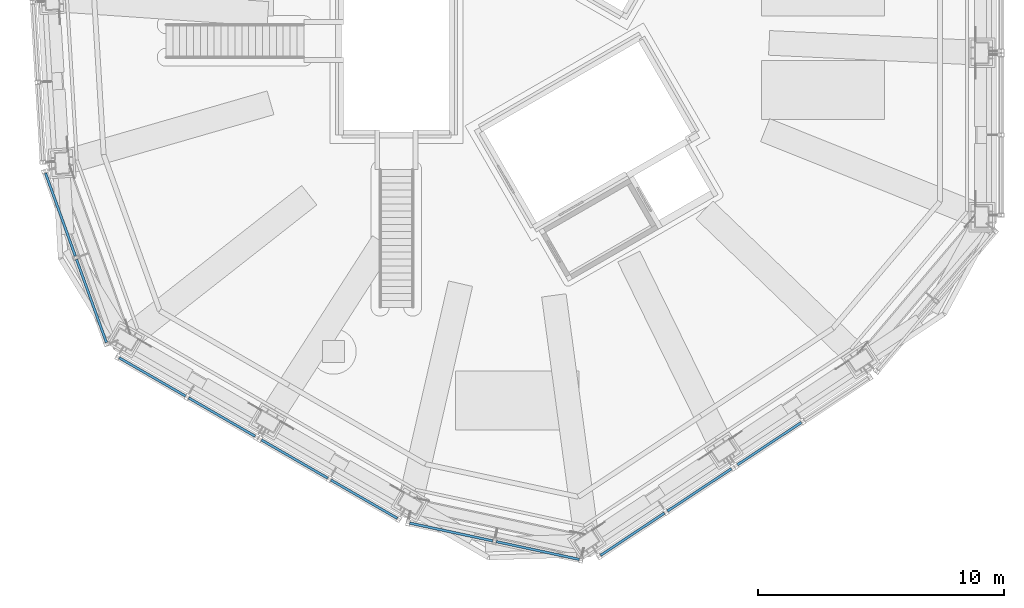
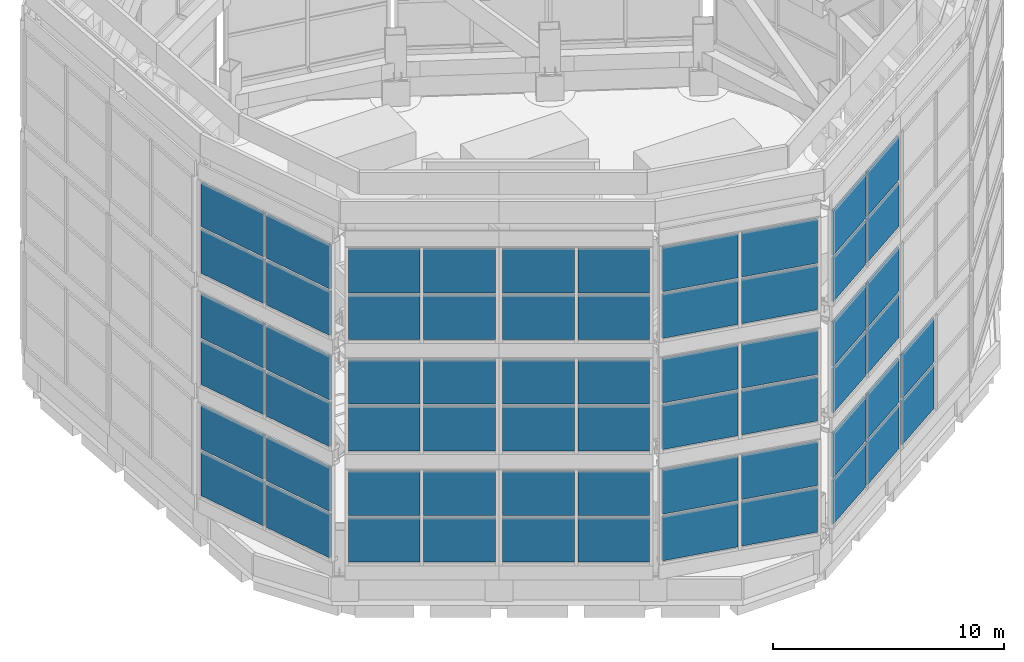
# One storey, part 17 of 46: 62 plates, 16 elements without a shape of their own.
"""IFC4 building model written with IfcOpenShell, lengths in metres."""

from ifc_helpers import new_model, si_unit, direction, frame, origin, origin_2d, place, context, subcontext, project, spatial, rectangle, extrude, material, layer, layer_set, type_object, element, aggregate, save


model = new_model("IFC4")

# Units and contexts
model_context = context("Model", 3, precision=1e-05, world=origin(), true_north=direction((0.0, 1.0)))
body_context = subcontext(model_context, "Body", "Model", "MODEL_VIEW")
ifc_project = project(units=[si_unit("LENGTHUNIT", "METRE"), si_unit("AREAUNIT", "SQUARE_METRE"), si_unit("VOLUMEUNIT", "CUBIC_METRE"), si_unit("PLANEANGLEUNIT", "RADIAN"), si_unit("MASSUNIT", "GRAM", prefix="KILO")], contexts=[model_context])

# Site, building, storey
site_placement = place(None, origin())
site = spatial("IfcSite", under=ifc_project, at=site_placement, CompositionType="ELEMENT")
building_placement = place(site_placement, origin())
building = spatial("IfcBuilding", under=site, at=building_placement, Name="Vanh Sen Convention Tower", CompositionType="ELEMENT")
storey_placement = place(building_placement, frame((0.0, 0.0, 305.0)))
storey = spatial("IfcBuildingStorey", under=building, at=storey_placement, Name="Roof level", CompositionType="ELEMENT", Elevation=305.0)

# Curtain wall, plates
ifc_material = material(Name="Concrete C60/75", Category="concrete")
curtain_wall_type = type_object("IfcCurtainWallType", Name="Crown screen", PredefinedType="NOTDEFINED", material=ifc_material)
curtain_wall_1_placement = place(storey_placement, origin())
curtain_wall_1 = element("IfcCurtainWall", 1, at=curtain_wall_1_placement, inside=storey, type_object=curtain_wall_type, Name="CROWN SCREEN 12 tier 1", PredefinedType="NOTDEFINED")
ifc_layer = layer(ifc_material, 0.10009765625)
ifc_layer_set = layer_set([ifc_layer], Name="Concrete C60/75")
plate_type = type_object("IfcPlateType", Name="Crown screen precast panel 100", PredefinedType="CURTAIN_PANEL", material=ifc_layer_set)
plate_1_placement = place(storey_placement, frame((-18.581298828125, -7.440673828125, 2.294921875), z_axis=(0.0, 0.0, 1.0), x_axis=(0.338349091158, -0.941020665295, 0.0)))
plate_1 = element("IfcPlate", 2, at=plate_1_placement, type_object=plate_type, Name="CROWN SCREEN6 panel 1.1", PredefinedType="CURTAIN_PANEL", context=body_context, shape_type="SweptSolid", body=[
    extrude(rectangle(XDim=3.57568359375, YDim=0.10009765625, at=origin_2d()), origin(), (0.0, 0.0, 1.0), 2.30908203125),
])
plate_2_placement = place(storey_placement, frame((-18.581298828125, -7.440673828125, 4.754150390625), z_axis=(0.0, 0.0, 1.0), x_axis=(0.338349091158, -0.941020665295, 0.0)))
plate_2 = element("IfcPlate", 3, at=plate_2_placement, type_object=plate_type, Name="CROWN SCREEN6 panel 1.2", PredefinedType="CURTAIN_PANEL", context=body_context, shape_type="SweptSolid", body=[
    extrude(rectangle(XDim=3.57568359375, YDim=0.10009765625, at=origin_2d()), origin(), (0.0, 0.0, 1.0), 2.30908203125),
])
plate_3_placement = place(storey_placement, frame((-17.320556640625, -10.946533203125, 2.294921875), z_axis=(0.0, 0.0, 1.0), x_axis=(0.338349091158, -0.941020665295, 0.0)))
plate_3 = element("IfcPlate", 4, at=plate_3_placement, type_object=plate_type, Name="CROWN SCREEN6 panel 2.1", PredefinedType="CURTAIN_PANEL", context=body_context, shape_type="SweptSolid", body=[
    extrude(rectangle(XDim=3.57568359375, YDim=0.10009765625, at=origin_2d()), origin(), (0.0, 0.0, 1.0), 2.30908203125),
])
plate_4_placement = place(storey_placement, frame((-17.320556640625, -10.946533203125, 4.754150390625), z_axis=(0.0, 0.0, 1.0), x_axis=(0.338349091158, -0.941020665295, 0.0)))
plate_4 = element("IfcPlate", 5, at=plate_4_placement, type_object=plate_type, Name="CROWN SCREEN6 panel 2.2", PredefinedType="CURTAIN_PANEL", context=body_context, shape_type="SweptSolid", body=[
    extrude(rectangle(XDim=3.57568359375, YDim=0.10009765625, at=origin_2d()), origin(), (0.0, 0.0, 1.0), 2.30908203125),
])
aggregate(curtain_wall_1, [plate_1, plate_2, plate_3, plate_4])

curtain_wall_2_placement = place(storey_placement, origin())
curtain_wall_2 = element("IfcCurtainWall", 6, at=curtain_wall_2_placement, inside=storey, type_object=curtain_wall_type, Name="CROWN SCREEN 12 tier 2", PredefinedType="NOTDEFINED")
plate_5_placement = place(storey_placement, frame((-18.581298828125, -7.440673828125, 8.163330078125), z_axis=(0.0, 0.0, 1.0), x_axis=(0.338349091158, -0.941020665295, 0.0)))
plate_5 = element("IfcPlate", 7, at=plate_5_placement, type_object=plate_type, Name="CROWN SCREEN6 panel 1.1", PredefinedType="CURTAIN_PANEL", context=body_context, shape_type="SweptSolid", body=[
    extrude(rectangle(XDim=3.57568359375, YDim=0.10009765625, at=origin_2d()), origin(), (0.0, 0.0, 1.0), 2.30908203125),
])
plate_6_placement = place(storey_placement, frame((-18.581298828125, -7.440673828125, 10.62255859375), z_axis=(0.0, 0.0, 1.0), x_axis=(0.338349091158, -0.941020665295, 0.0)))
plate_6 = element("IfcPlate", 8, at=plate_6_placement, type_object=plate_type, Name="CROWN SCREEN6 panel 1.2", PredefinedType="CURTAIN_PANEL", context=body_context, shape_type="SweptSolid", body=[
    extrude(rectangle(XDim=3.57568359375, YDim=0.10009765625, at=origin_2d()), origin(), (0.0, 0.0, 1.0), 2.30908203125),
])
plate_7_placement = place(storey_placement, frame((-17.320556640625, -10.946533203125, 8.163330078125), z_axis=(0.0, 0.0, 1.0), x_axis=(0.338349091158, -0.941020665295, 0.0)))
plate_7 = element("IfcPlate", 9, at=plate_7_placement, type_object=plate_type, Name="CROWN SCREEN6 panel 2.1", PredefinedType="CURTAIN_PANEL", context=body_context, shape_type="SweptSolid", body=[
    extrude(rectangle(XDim=3.57568359375, YDim=0.10009765625, at=origin_2d()), origin(), (0.0, 0.0, 1.0), 2.30908203125),
])
plate_8_placement = place(storey_placement, frame((-17.320556640625, -10.946533203125, 10.62255859375), z_axis=(0.0, 0.0, 1.0), x_axis=(0.338349091158, -0.941020665295, 0.0)))
plate_8 = element("IfcPlate", 10, at=plate_8_placement, type_object=plate_type, Name="CROWN SCREEN6 panel 2.2", PredefinedType="CURTAIN_PANEL", context=body_context, shape_type="SweptSolid", body=[
    extrude(rectangle(XDim=3.57568359375, YDim=0.10009765625, at=origin_2d()), origin(), (0.0, 0.0, 1.0), 2.30908203125),
])
aggregate(curtain_wall_2, [plate_5, plate_6, plate_7, plate_8])

curtain_wall_3_placement = place(storey_placement, origin())
curtain_wall_3 = element("IfcCurtainWall", 11, at=curtain_wall_3_placement, inside=storey, type_object=curtain_wall_type, Name="CROWN SCREEN 12 tier 3", PredefinedType="NOTDEFINED")
plate_9_placement = place(storey_placement, frame((-18.581298828125, -7.440673828125, 14.03173828125), z_axis=(0.0, 0.0, 1.0), x_axis=(0.338349091158, -0.941020665295, 0.0)))
plate_9 = element("IfcPlate", 12, at=plate_9_placement, type_object=plate_type, Name="CROWN SCREEN6 panel 1.1", PredefinedType="CURTAIN_PANEL", context=body_context, shape_type="SweptSolid", body=[
    extrude(rectangle(XDim=3.57568359375, YDim=0.10009765625, at=origin_2d()), origin(), (0.0, 0.0, 1.0), 2.30908203125),
])
plate_10_placement = place(storey_placement, frame((-18.581298828125, -7.440673828125, 16.490966796875), z_axis=(0.0, 0.0, 1.0), x_axis=(0.338349091158, -0.941020665295, 0.0)))
plate_10 = element("IfcPlate", 13, at=plate_10_placement, type_object=plate_type, Name="CROWN SCREEN6 panel 1.2", PredefinedType="CURTAIN_PANEL", context=body_context, shape_type="SweptSolid", body=[
    extrude(rectangle(XDim=3.57568359375, YDim=0.10009765625, at=origin_2d()), origin(), (0.0, 0.0, 1.0), 2.30908203125),
])
plate_11_placement = place(storey_placement, frame((-17.320556640625, -10.946533203125, 14.03173828125), z_axis=(0.0, 0.0, 1.0), x_axis=(0.338349091158, -0.941020665295, 0.0)))
plate_11 = element("IfcPlate", 14, at=plate_11_placement, type_object=plate_type, Name="CROWN SCREEN6 panel 2.1", PredefinedType="CURTAIN_PANEL", context=body_context, shape_type="SweptSolid", body=[
    extrude(rectangle(XDim=3.57568359375, YDim=0.10009765625, at=origin_2d()), origin(), (0.0, 0.0, 1.0), 2.30908203125),
])
plate_12_placement = place(storey_placement, frame((-17.320556640625, -10.946533203125, 16.490966796875), z_axis=(0.0, 0.0, 1.0), x_axis=(0.338349091158, -0.941020665295, 0.0)))
plate_12 = element("IfcPlate", 15, at=plate_12_placement, type_object=plate_type, Name="CROWN SCREEN6 panel 2.2", PredefinedType="CURTAIN_PANEL", context=body_context, shape_type="SweptSolid", body=[
    extrude(rectangle(XDim=3.57568359375, YDim=0.10009765625, at=origin_2d()), origin(), (0.0, 0.0, 1.0), 2.30908203125),
])
aggregate(curtain_wall_3, [plate_9, plate_10, plate_11, plate_12])

curtain_wall_4_placement = place(storey_placement, origin())
curtain_wall_4 = element("IfcCurtainWall", 16, at=curtain_wall_4_placement, inside=storey, type_object=curtain_wall_type, Name="CROWN SCREEN 13 tier 1", PredefinedType="NOTDEFINED")
plate_13_placement = place(storey_placement, frame((-14.84814453125, -14.03076171875, 2.294921875), z_axis=(0.0, 0.0, 1.0), x_axis=(0.866022639554, -0.500004787758, 0.0)))
plate_13 = element("IfcPlate", 17, at=plate_13_placement, type_object=plate_type, Name="CROWN SCREEN6 panel 1.1", PredefinedType="CURTAIN_PANEL", context=body_context, shape_type="SweptSolid", body=[
    extrude(rectangle(XDim=3.106689453125, YDim=0.10009765625, at=origin_2d()), origin(), (0.0, 0.0, 1.0), 2.30908203125),
])
plate_14_placement = place(storey_placement, frame((-14.84814453125, -14.03076171875, 4.754150390625), z_axis=(0.0, 0.0, 1.0), x_axis=(0.866022639554, -0.500004787758, 0.0)))
plate_14 = element("IfcPlate", 18, at=plate_14_placement, type_object=plate_type, Name="CROWN SCREEN6 panel 1.2", PredefinedType="CURTAIN_PANEL", context=body_context, shape_type="SweptSolid", body=[
    extrude(rectangle(XDim=3.106689453125, YDim=0.10009765625, at=origin_2d()), origin(), (0.0, 0.0, 1.0), 2.30908203125),
])
plate_15_placement = place(storey_placement, frame((-12.02783203125, -15.6591796875, 2.294921875), z_axis=(0.0, 0.0, 1.0), x_axis=(0.866022639554, -0.500004787758, 0.0)))
plate_15 = element("IfcPlate", 19, at=plate_15_placement, type_object=plate_type, Name="CROWN SCREEN6 panel 2.1", PredefinedType="CURTAIN_PANEL", context=body_context, shape_type="SweptSolid", body=[
    extrude(rectangle(XDim=3.106689453125, YDim=0.10009765625, at=origin_2d()), origin(), (0.0, 0.0, 1.0), 2.30908203125),
])
plate_16_placement = place(storey_placement, frame((-12.02783203125, -15.6591796875, 4.754150390625), z_axis=(0.0, 0.0, 1.0), x_axis=(0.866022639554, -0.500004787758, 0.0)))
plate_16 = element("IfcPlate", 20, at=plate_16_placement, type_object=plate_type, Name="CROWN SCREEN6 panel 2.2", PredefinedType="CURTAIN_PANEL", context=body_context, shape_type="SweptSolid", body=[
    extrude(rectangle(XDim=3.106689453125, YDim=0.10009765625, at=origin_2d()), origin(), (0.0, 0.0, 1.0), 2.30908203125),
])
aggregate(curtain_wall_4, [plate_13, plate_14, plate_15, plate_16])

curtain_wall_5_placement = place(storey_placement, origin())
curtain_wall_5 = element("IfcCurtainWall", 21, at=curtain_wall_5_placement, inside=storey, type_object=curtain_wall_type, Name="CROWN SCREEN 13 tier 2", PredefinedType="NOTDEFINED")
plate_17_placement = place(storey_placement, frame((-14.84814453125, -14.03076171875, 8.163330078125), z_axis=(0.0, 0.0, 1.0), x_axis=(0.866022639554, -0.500004787758, 0.0)))
plate_17 = element("IfcPlate", 22, at=plate_17_placement, type_object=plate_type, Name="CROWN SCREEN6 panel 1.1", PredefinedType="CURTAIN_PANEL", context=body_context, shape_type="SweptSolid", body=[
    extrude(rectangle(XDim=3.106689453125, YDim=0.10009765625, at=origin_2d()), origin(), (0.0, 0.0, 1.0), 2.30908203125),
])
plate_18_placement = place(storey_placement, frame((-14.84814453125, -14.03076171875, 10.62255859375), z_axis=(0.0, 0.0, 1.0), x_axis=(0.866022639554, -0.500004787758, 0.0)))
plate_18 = element("IfcPlate", 23, at=plate_18_placement, type_object=plate_type, Name="CROWN SCREEN6 panel 1.2", PredefinedType="CURTAIN_PANEL", context=body_context, shape_type="SweptSolid", body=[
    extrude(rectangle(XDim=3.106689453125, YDim=0.10009765625, at=origin_2d()), origin(), (0.0, 0.0, 1.0), 2.30908203125),
])
plate_19_placement = place(storey_placement, frame((-12.02783203125, -15.6591796875, 8.163330078125), z_axis=(0.0, 0.0, 1.0), x_axis=(0.866022639554, -0.500004787758, 0.0)))
plate_19 = element("IfcPlate", 24, at=plate_19_placement, type_object=plate_type, Name="CROWN SCREEN6 panel 2.1", PredefinedType="CURTAIN_PANEL", context=body_context, shape_type="SweptSolid", body=[
    extrude(rectangle(XDim=3.106689453125, YDim=0.10009765625, at=origin_2d()), origin(), (0.0, 0.0, 1.0), 2.30908203125),
])
plate_20_placement = place(storey_placement, frame((-12.02783203125, -15.6591796875, 10.62255859375), z_axis=(0.0, 0.0, 1.0), x_axis=(0.866022639554, -0.500004787758, 0.0)))
plate_20 = element("IfcPlate", 25, at=plate_20_placement, type_object=plate_type, Name="CROWN SCREEN6 panel 2.2", PredefinedType="CURTAIN_PANEL", context=body_context, shape_type="SweptSolid", body=[
    extrude(rectangle(XDim=3.106689453125, YDim=0.10009765625, at=origin_2d()), origin(), (0.0, 0.0, 1.0), 2.30908203125),
])
aggregate(curtain_wall_5, [plate_17, plate_18, plate_19, plate_20])

curtain_wall_6_placement = place(storey_placement, origin())
curtain_wall_6 = element("IfcCurtainWall", 26, at=curtain_wall_6_placement, inside=storey, type_object=curtain_wall_type, Name="CROWN SCREEN 13 tier 3", PredefinedType="NOTDEFINED")
plate_21_placement = place(storey_placement, frame((-14.84814453125, -14.03076171875, 14.03173828125), z_axis=(0.0, 0.0, 1.0), x_axis=(0.866022639554, -0.500004787758, 0.0)))
plate_21 = element("IfcPlate", 27, at=plate_21_placement, type_object=plate_type, Name="CROWN SCREEN6 panel 1.1", PredefinedType="CURTAIN_PANEL", context=body_context, shape_type="SweptSolid", body=[
    extrude(rectangle(XDim=3.106689453125, YDim=0.10009765625, at=origin_2d()), origin(), (0.0, 0.0, 1.0), 2.30908203125),
])
plate_22_placement = place(storey_placement, frame((-14.84814453125, -14.03076171875, 16.490966796875), z_axis=(0.0, 0.0, 1.0), x_axis=(0.866022639554, -0.500004787758, 0.0)))
plate_22 = element("IfcPlate", 28, at=plate_22_placement, type_object=plate_type, Name="CROWN SCREEN6 panel 1.2", PredefinedType="CURTAIN_PANEL", context=body_context, shape_type="SweptSolid", body=[
    extrude(rectangle(XDim=3.106689453125, YDim=0.10009765625, at=origin_2d()), origin(), (0.0, 0.0, 1.0), 2.30908203125),
])
plate_23_placement = place(storey_placement, frame((-12.02783203125, -15.6591796875, 14.03173828125), z_axis=(0.0, 0.0, 1.0), x_axis=(0.866022639554, -0.500004787758, 0.0)))
plate_23 = element("IfcPlate", 29, at=plate_23_placement, type_object=plate_type, Name="CROWN SCREEN6 panel 2.1", PredefinedType="CURTAIN_PANEL", context=body_context, shape_type="SweptSolid", body=[
    extrude(rectangle(XDim=3.106689453125, YDim=0.10009765625, at=origin_2d()), origin(), (0.0, 0.0, 1.0), 2.30908203125),
])
plate_24_placement = place(storey_placement, frame((-12.02783203125, -15.6591796875, 16.490966796875), z_axis=(0.0, 0.0, 1.0), x_axis=(0.866022639554, -0.500004787758, 0.0)))
plate_24 = element("IfcPlate", 30, at=plate_24_placement, type_object=plate_type, Name="CROWN SCREEN6 panel 2.2", PredefinedType="CURTAIN_PANEL", context=body_context, shape_type="SweptSolid", body=[
    extrude(rectangle(XDim=3.106689453125, YDim=0.10009765625, at=origin_2d()), origin(), (0.0, 0.0, 1.0), 2.30908203125),
])
aggregate(curtain_wall_6, [plate_21, plate_22, plate_23, plate_24])

curtain_wall_7_placement = place(storey_placement, origin())
curtain_wall_7 = element("IfcCurtainWall", 31, at=curtain_wall_7_placement, inside=storey, type_object=curtain_wall_type, Name="CROWN SCREEN 14 tier 1", PredefinedType="NOTDEFINED")
plate_25_placement = place(storey_placement, frame((-9.077392578125, -17.362548828125, 2.294921875), z_axis=(0.0, 0.0, 1.0), x_axis=(0.866029138014, -0.499993532068, 0.0)))
plate_25 = element("IfcPlate", 32, at=plate_25_placement, type_object=plate_type, Name="CROWN SCREEN6 panel 1.1", PredefinedType="CURTAIN_PANEL", context=body_context, shape_type="SweptSolid", body=[
    extrude(rectangle(XDim=3.106689453125, YDim=0.10009765625, at=origin_2d()), origin(), (0.0, 0.0, 1.0), 2.30908203125),
])
plate_26_placement = place(storey_placement, frame((-9.077392578125, -17.362548828125, 4.754150390625), z_axis=(0.0, 0.0, 1.0), x_axis=(0.866029138014, -0.499993532068, 0.0)))
plate_26 = element("IfcPlate", 33, at=plate_26_placement, type_object=plate_type, Name="CROWN SCREEN6 panel 1.2", PredefinedType="CURTAIN_PANEL", context=body_context, shape_type="SweptSolid", body=[
    extrude(rectangle(XDim=3.106689453125, YDim=0.10009765625, at=origin_2d()), origin(), (0.0, 0.0, 1.0), 2.30908203125),
])
plate_27_placement = place(storey_placement, frame((-6.257080078125, -18.99072265625, 2.294921875), z_axis=(0.0, 0.0, 1.0), x_axis=(0.866029138014, -0.499993532068, 0.0)))
plate_27 = element("IfcPlate", 34, at=plate_27_placement, type_object=plate_type, Name="CROWN SCREEN6 panel 2.1", PredefinedType="CURTAIN_PANEL", context=body_context, shape_type="SweptSolid", body=[
    extrude(rectangle(XDim=3.106689453125, YDim=0.10009765625, at=origin_2d()), origin(), (0.0, 0.0, 1.0), 2.30908203125),
])
plate_28_placement = place(storey_placement, frame((-6.257080078125, -18.99072265625, 4.754150390625), z_axis=(0.0, 0.0, 1.0), x_axis=(0.866029138014, -0.499993532068, 0.0)))
plate_28 = element("IfcPlate", 35, at=plate_28_placement, type_object=plate_type, Name="CROWN SCREEN6 panel 2.2", PredefinedType="CURTAIN_PANEL", context=body_context, shape_type="SweptSolid", body=[
    extrude(rectangle(XDim=3.106689453125, YDim=0.10009765625, at=origin_2d()), origin(), (0.0, 0.0, 1.0), 2.30908203125),
])
aggregate(curtain_wall_7, [plate_25, plate_26, plate_27, plate_28])

curtain_wall_8_placement = place(storey_placement, origin())
curtain_wall_8 = element("IfcCurtainWall", 36, at=curtain_wall_8_placement, inside=storey, type_object=curtain_wall_type, Name="CROWN SCREEN 14 tier 2", PredefinedType="NOTDEFINED")
plate_29_placement = place(storey_placement, frame((-9.077392578125, -17.362548828125, 8.163330078125), z_axis=(0.0, 0.0, 1.0), x_axis=(0.866029138014, -0.499993532068, 0.0)))
plate_29 = element("IfcPlate", 37, at=plate_29_placement, type_object=plate_type, Name="CROWN SCREEN6 panel 1.1", PredefinedType="CURTAIN_PANEL", context=body_context, shape_type="SweptSolid", body=[
    extrude(rectangle(XDim=3.106689453125, YDim=0.10009765625, at=origin_2d()), origin(), (0.0, 0.0, 1.0), 2.30908203125),
])
plate_30_placement = place(storey_placement, frame((-9.077392578125, -17.362548828125, 10.62255859375), z_axis=(0.0, 0.0, 1.0), x_axis=(0.866029138014, -0.499993532068, 0.0)))
plate_30 = element("IfcPlate", 38, at=plate_30_placement, type_object=plate_type, Name="CROWN SCREEN6 panel 1.2", PredefinedType="CURTAIN_PANEL", context=body_context, shape_type="SweptSolid", body=[
    extrude(rectangle(XDim=3.106689453125, YDim=0.10009765625, at=origin_2d()), origin(), (0.0, 0.0, 1.0), 2.30908203125),
])
plate_31_placement = place(storey_placement, frame((-6.257080078125, -18.99072265625, 8.163330078125), z_axis=(0.0, 0.0, 1.0), x_axis=(0.866029138014, -0.499993532068, 0.0)))
plate_31 = element("IfcPlate", 39, at=plate_31_placement, type_object=plate_type, Name="CROWN SCREEN6 panel 2.1", PredefinedType="CURTAIN_PANEL", context=body_context, shape_type="SweptSolid", body=[
    extrude(rectangle(XDim=3.106689453125, YDim=0.10009765625, at=origin_2d()), origin(), (0.0, 0.0, 1.0), 2.30908203125),
])
plate_32_placement = place(storey_placement, frame((-6.257080078125, -18.99072265625, 10.62255859375), z_axis=(0.0, 0.0, 1.0), x_axis=(0.866029138014, -0.499993532068, 0.0)))
plate_32 = element("IfcPlate", 40, at=plate_32_placement, type_object=plate_type, Name="CROWN SCREEN6 panel 2.2", PredefinedType="CURTAIN_PANEL", context=body_context, shape_type="SweptSolid", body=[
    extrude(rectangle(XDim=3.106689453125, YDim=0.10009765625, at=origin_2d()), origin(), (0.0, 0.0, 1.0), 2.30908203125),
])
aggregate(curtain_wall_8, [plate_29, plate_30, plate_31, plate_32])

curtain_wall_9_placement = place(storey_placement, origin())
curtain_wall_9 = element("IfcCurtainWall", 41, at=curtain_wall_9_placement, inside=storey, type_object=curtain_wall_type, Name="CROWN SCREEN 14 tier 3", PredefinedType="NOTDEFINED")
plate_33_placement = place(storey_placement, frame((-9.077392578125, -17.362548828125, 14.03173828125), z_axis=(0.0, 0.0, 1.0), x_axis=(0.866029138014, -0.499993532068, 0.0)))
plate_33 = element("IfcPlate", 42, at=plate_33_placement, type_object=plate_type, Name="CROWN SCREEN6 panel 1.1", PredefinedType="CURTAIN_PANEL", context=body_context, shape_type="SweptSolid", body=[
    extrude(rectangle(XDim=3.106689453125, YDim=0.10009765625, at=origin_2d()), origin(), (0.0, 0.0, 1.0), 2.30908203125),
])
plate_34_placement = place(storey_placement, frame((-9.077392578125, -17.362548828125, 16.490966796875), z_axis=(0.0, 0.0, 1.0), x_axis=(0.866029138014, -0.499993532068, 0.0)))
plate_34 = element("IfcPlate", 43, at=plate_34_placement, type_object=plate_type, Name="CROWN SCREEN6 panel 1.2", PredefinedType="CURTAIN_PANEL", context=body_context, shape_type="SweptSolid", body=[
    extrude(rectangle(XDim=3.106689453125, YDim=0.10009765625, at=origin_2d()), origin(), (0.0, 0.0, 1.0), 2.30908203125),
])
plate_35_placement = place(storey_placement, frame((-6.257080078125, -18.99072265625, 14.03173828125), z_axis=(0.0, 0.0, 1.0), x_axis=(0.866029138014, -0.499993532068, 0.0)))
plate_35 = element("IfcPlate", 44, at=plate_35_placement, type_object=plate_type, Name="CROWN SCREEN6 panel 2.1", PredefinedType="CURTAIN_PANEL", context=body_context, shape_type="SweptSolid", body=[
    extrude(rectangle(XDim=3.106689453125, YDim=0.10009765625, at=origin_2d()), origin(), (0.0, 0.0, 1.0), 2.30908203125),
])
plate_36_placement = place(storey_placement, frame((-6.257080078125, -18.99072265625, 16.490966796875), z_axis=(0.0, 0.0, 1.0), x_axis=(0.866029138014, -0.499993532068, 0.0)))
plate_36 = element("IfcPlate", 45, at=plate_36_placement, type_object=plate_type, Name="CROWN SCREEN6 panel 2.2", PredefinedType="CURTAIN_PANEL", context=body_context, shape_type="SweptSolid", body=[
    extrude(rectangle(XDim=3.106689453125, YDim=0.10009765625, at=origin_2d()), origin(), (0.0, 0.0, 1.0), 2.30908203125),
])
aggregate(curtain_wall_9, [plate_33, plate_34, plate_35, plate_36])

curtain_wall_10_placement = place(storey_placement, origin())
curtain_wall_10 = element("IfcCurtainWall", 46, at=curtain_wall_10_placement, inside=storey, type_object=curtain_wall_type, Name="CROWN SCREEN 15 tier 1", PredefinedType="NOTDEFINED")
plate_37_placement = place(storey_placement, frame((-2.726806640625, -20.320556640625, 2.294921875), z_axis=(0.0, 0.0, 1.0), x_axis=(0.977865213859, -0.209235808418, 0.0)))
plate_37 = element("IfcPlate", 47, at=plate_37_placement, type_object=plate_type, Name="CROWN SCREEN6 panel 1.1", PredefinedType="CURTAIN_PANEL", context=body_context, shape_type="SweptSolid", body=[
    extrude(rectangle(XDim=3.442626953125, YDim=0.10009765625, at=origin_2d()), origin(), (0.0, 0.0, 1.0), 2.30908203125),
])
plate_38_placement = place(storey_placement, frame((-2.726806640625, -20.320556640625, 4.754150390625), z_axis=(0.0, 0.0, 1.0), x_axis=(0.977865213859, -0.209235808418, 0.0)))
plate_38 = element("IfcPlate", 48, at=plate_38_placement, type_object=plate_type, Name="CROWN SCREEN6 panel 1.2", PredefinedType="CURTAIN_PANEL", context=body_context, shape_type="SweptSolid", body=[
    extrude(rectangle(XDim=3.442626953125, YDim=0.10009765625, at=origin_2d()), origin(), (0.0, 0.0, 1.0), 2.30908203125),
])
plate_39_placement = place(storey_placement, frame((0.786376953125, -21.072265625, 2.294921875), z_axis=(0.0, 0.0, 1.0), x_axis=(0.977865213859, -0.209235808418, 0.0)))
plate_39 = element("IfcPlate", 49, at=plate_39_placement, type_object=plate_type, Name="CROWN SCREEN6 panel 2.1", PredefinedType="CURTAIN_PANEL", context=body_context, shape_type="SweptSolid", body=[
    extrude(rectangle(XDim=3.442626953125, YDim=0.10009765625, at=origin_2d()), origin(), (0.0, 0.0, 1.0), 2.30908203125),
])
plate_40_placement = place(storey_placement, frame((0.786376953125, -21.072265625, 4.754150390625), z_axis=(0.0, 0.0, 1.0), x_axis=(0.977865213859, -0.209235808418, 0.0)))
plate_40 = element("IfcPlate", 50, at=plate_40_placement, type_object=plate_type, Name="CROWN SCREEN6 panel 2.2", PredefinedType="CURTAIN_PANEL", context=body_context, shape_type="SweptSolid", body=[
    extrude(rectangle(XDim=3.442626953125, YDim=0.10009765625, at=origin_2d()), origin(), (0.0, 0.0, 1.0), 2.30908203125),
])
aggregate(curtain_wall_10, [plate_37, plate_38, plate_39, plate_40])

curtain_wall_11_placement = place(storey_placement, origin())
curtain_wall_11 = element("IfcCurtainWall", 51, at=curtain_wall_11_placement, inside=storey, type_object=curtain_wall_type, Name="CROWN SCREEN 15 tier 2", PredefinedType="NOTDEFINED")
plate_41_placement = place(storey_placement, frame((-2.726806640625, -20.320556640625, 8.163330078125), z_axis=(0.0, 0.0, 1.0), x_axis=(0.977865213859, -0.209235808418, 0.0)))
plate_41 = element("IfcPlate", 52, at=plate_41_placement, type_object=plate_type, Name="CROWN SCREEN6 panel 1.1", PredefinedType="CURTAIN_PANEL", context=body_context, shape_type="SweptSolid", body=[
    extrude(rectangle(XDim=3.442626953125, YDim=0.10009765625, at=origin_2d()), origin(), (0.0, 0.0, 1.0), 2.30908203125),
])
plate_42_placement = place(storey_placement, frame((-2.726806640625, -20.320556640625, 10.62255859375), z_axis=(0.0, 0.0, 1.0), x_axis=(0.977865213859, -0.209235808418, 0.0)))
plate_42 = element("IfcPlate", 53, at=plate_42_placement, type_object=plate_type, Name="CROWN SCREEN6 panel 1.2", PredefinedType="CURTAIN_PANEL", context=body_context, shape_type="SweptSolid", body=[
    extrude(rectangle(XDim=3.442626953125, YDim=0.10009765625, at=origin_2d()), origin(), (0.0, 0.0, 1.0), 2.30908203125),
])
plate_43_placement = place(storey_placement, frame((0.786376953125, -21.072265625, 8.163330078125), z_axis=(0.0, 0.0, 1.0), x_axis=(0.977865213859, -0.209235808418, 0.0)))
plate_43 = element("IfcPlate", 54, at=plate_43_placement, type_object=plate_type, Name="CROWN SCREEN6 panel 2.1", PredefinedType="CURTAIN_PANEL", context=body_context, shape_type="SweptSolid", body=[
    extrude(rectangle(XDim=3.442626953125, YDim=0.10009765625, at=origin_2d()), origin(), (0.0, 0.0, 1.0), 2.30908203125),
])
plate_44_placement = place(storey_placement, frame((0.786376953125, -21.072265625, 10.62255859375), z_axis=(0.0, 0.0, 1.0), x_axis=(0.977865213859, -0.209235808418, 0.0)))
plate_44 = element("IfcPlate", 55, at=plate_44_placement, type_object=plate_type, Name="CROWN SCREEN6 panel 2.2", PredefinedType="CURTAIN_PANEL", context=body_context, shape_type="SweptSolid", body=[
    extrude(rectangle(XDim=3.442626953125, YDim=0.10009765625, at=origin_2d()), origin(), (0.0, 0.0, 1.0), 2.30908203125),
])
aggregate(curtain_wall_11, [plate_41, plate_42, plate_43, plate_44])

curtain_wall_12_placement = place(storey_placement, origin())
curtain_wall_12 = element("IfcCurtainWall", 56, at=curtain_wall_12_placement, inside=storey, type_object=curtain_wall_type, Name="CROWN SCREEN 15 tier 3", PredefinedType="NOTDEFINED")
plate_45_placement = place(storey_placement, frame((-2.726806640625, -20.320556640625, 14.03173828125), z_axis=(0.0, 0.0, 1.0), x_axis=(0.977865213859, -0.209235808418, 0.0)))
plate_45 = element("IfcPlate", 57, at=plate_45_placement, type_object=plate_type, Name="CROWN SCREEN6 panel 1.1", PredefinedType="CURTAIN_PANEL", context=body_context, shape_type="SweptSolid", body=[
    extrude(rectangle(XDim=3.442626953125, YDim=0.10009765625, at=origin_2d()), origin(), (0.0, 0.0, 1.0), 2.30908203125),
])
plate_46_placement = place(storey_placement, frame((-2.726806640625, -20.320556640625, 16.490966796875), z_axis=(0.0, 0.0, 1.0), x_axis=(0.977865213859, -0.209235808418, 0.0)))
plate_46 = element("IfcPlate", 58, at=plate_46_placement, type_object=plate_type, Name="CROWN SCREEN6 panel 1.2", PredefinedType="CURTAIN_PANEL", context=body_context, shape_type="SweptSolid", body=[
    extrude(rectangle(XDim=3.442626953125, YDim=0.10009765625, at=origin_2d()), origin(), (0.0, 0.0, 1.0), 2.30908203125),
])
plate_47_placement = place(storey_placement, frame((0.786376953125, -21.072265625, 14.03173828125), z_axis=(0.0, 0.0, 1.0), x_axis=(0.977865213859, -0.209235808418, 0.0)))
plate_47 = element("IfcPlate", 59, at=plate_47_placement, type_object=plate_type, Name="CROWN SCREEN6 panel 2.1", PredefinedType="CURTAIN_PANEL", context=body_context, shape_type="SweptSolid", body=[
    extrude(rectangle(XDim=3.442626953125, YDim=0.10009765625, at=origin_2d()), origin(), (0.0, 0.0, 1.0), 2.30908203125),
])
plate_48_placement = place(storey_placement, frame((0.786376953125, -21.072265625, 16.490966796875), z_axis=(0.0, 0.0, 1.0), x_axis=(0.977865213859, -0.209235808418, 0.0)))
plate_48 = element("IfcPlate", 60, at=plate_48_placement, type_object=plate_type, Name="CROWN SCREEN6 panel 2.2", PredefinedType="CURTAIN_PANEL", context=body_context, shape_type="SweptSolid", body=[
    extrude(rectangle(XDim=3.442626953125, YDim=0.10009765625, at=origin_2d()), origin(), (0.0, 0.0, 1.0), 2.30908203125),
])
aggregate(curtain_wall_12, [plate_45, plate_46, plate_47, plate_48])

curtain_wall_13_placement = place(storey_placement, origin())
curtain_wall_13 = element("IfcCurtainWall", 61, at=curtain_wall_13_placement, inside=storey, type_object=curtain_wall_type, Name="CROWN SCREEN 16 tier 1", PredefinedType="NOTDEFINED")
plate_49_placement = place(storey_placement, frame((4.62646484375, -20.412109375, 2.294921875), z_axis=(0.0, 0.0, 1.0), x_axis=(0.833890458226, 0.551929980776, 0.0)))
plate_49 = element("IfcPlate", 62, at=plate_49_placement, type_object=plate_type, Name="CROWN SCREEN6 panel 1.1", PredefinedType="CURTAIN_PANEL", context=body_context, shape_type="SweptSolid", body=[
    extrude(rectangle(XDim=3.106689453125, YDim=0.10009765625, at=origin_2d()), origin(), (0.0, 0.0, 1.0), 2.30908203125),
])
plate_50_placement = place(storey_placement, frame((4.62646484375, -20.412109375, 4.754150390625), z_axis=(0.0, 0.0, 1.0), x_axis=(0.833890458226, 0.551929980776, 0.0)))
plate_50 = element("IfcPlate", 63, at=plate_50_placement, type_object=plate_type, Name="CROWN SCREEN6 panel 1.2", PredefinedType="CURTAIN_PANEL", context=body_context, shape_type="SweptSolid", body=[
    extrude(rectangle(XDim=3.106689453125, YDim=0.10009765625, at=origin_2d()), origin(), (0.0, 0.0, 1.0), 2.30908203125),
])
plate_51_placement = place(storey_placement, frame((7.34228515625, -18.61474609375, 2.294921875), z_axis=(0.0, 0.0, 1.0), x_axis=(0.833890458226, 0.551929980776, 0.0)))
plate_51 = element("IfcPlate", 64, at=plate_51_placement, type_object=plate_type, Name="CROWN SCREEN6 panel 2.1", PredefinedType="CURTAIN_PANEL", context=body_context, shape_type="SweptSolid", body=[
    extrude(rectangle(XDim=3.106689453125, YDim=0.10009765625, at=origin_2d()), origin(), (0.0, 0.0, 1.0), 2.30908203125),
])
plate_52_placement = place(storey_placement, frame((7.34228515625, -18.61474609375, 4.754150390625), z_axis=(0.0, 0.0, 1.0), x_axis=(0.833890458226, 0.551929980776, 0.0)))
plate_52 = element("IfcPlate", 65, at=plate_52_placement, type_object=plate_type, Name="CROWN SCREEN6 panel 2.2", PredefinedType="CURTAIN_PANEL", context=body_context, shape_type="SweptSolid", body=[
    extrude(rectangle(XDim=3.106689453125, YDim=0.10009765625, at=origin_2d()), origin(), (0.0, 0.0, 1.0), 2.30908203125),
])
aggregate(curtain_wall_13, [plate_49, plate_50, plate_51, plate_52])

curtain_wall_14_placement = place(storey_placement, origin())
curtain_wall_14 = element("IfcCurtainWall", 66, at=curtain_wall_14_placement, inside=storey, type_object=curtain_wall_type, Name="CROWN SCREEN 16 tier 2", PredefinedType="NOTDEFINED")
plate_53_placement = place(storey_placement, frame((4.62646484375, -20.412109375, 8.163330078125), z_axis=(0.0, 0.0, 1.0), x_axis=(0.833890458226, 0.551929980776, 0.0)))
plate_53 = element("IfcPlate", 67, at=plate_53_placement, type_object=plate_type, Name="CROWN SCREEN6 panel 1.1", PredefinedType="CURTAIN_PANEL", context=body_context, shape_type="SweptSolid", body=[
    extrude(rectangle(XDim=3.106689453125, YDim=0.10009765625, at=origin_2d()), origin(), (0.0, 0.0, 1.0), 2.30908203125),
])
plate_54_placement = place(storey_placement, frame((4.62646484375, -20.412109375, 10.62255859375), z_axis=(0.0, 0.0, 1.0), x_axis=(0.833890458226, 0.551929980776, 0.0)))
plate_54 = element("IfcPlate", 68, at=plate_54_placement, type_object=plate_type, Name="CROWN SCREEN6 panel 1.2", PredefinedType="CURTAIN_PANEL", context=body_context, shape_type="SweptSolid", body=[
    extrude(rectangle(XDim=3.106689453125, YDim=0.10009765625, at=origin_2d()), origin(), (0.0, 0.0, 1.0), 2.30908203125),
])
plate_55_placement = place(storey_placement, frame((7.34228515625, -18.61474609375, 8.163330078125), z_axis=(0.0, 0.0, 1.0), x_axis=(0.833890458226, 0.551929980776, 0.0)))
plate_55 = element("IfcPlate", 69, at=plate_55_placement, type_object=plate_type, Name="CROWN SCREEN6 panel 2.1", PredefinedType="CURTAIN_PANEL", context=body_context, shape_type="SweptSolid", body=[
    extrude(rectangle(XDim=3.106689453125, YDim=0.10009765625, at=origin_2d()), origin(), (0.0, 0.0, 1.0), 2.30908203125),
])
plate_56_placement = place(storey_placement, frame((7.34228515625, -18.61474609375, 10.62255859375), z_axis=(0.0, 0.0, 1.0), x_axis=(0.833890458226, 0.551929980776, 0.0)))
plate_56 = element("IfcPlate", 70, at=plate_56_placement, type_object=plate_type, Name="CROWN SCREEN6 panel 2.2", PredefinedType="CURTAIN_PANEL", context=body_context, shape_type="SweptSolid", body=[
    extrude(rectangle(XDim=3.106689453125, YDim=0.10009765625, at=origin_2d()), origin(), (0.0, 0.0, 1.0), 2.30908203125),
])
aggregate(curtain_wall_14, [plate_53, plate_54, plate_55, plate_56])

curtain_wall_15_placement = place(storey_placement, origin())
curtain_wall_15 = element("IfcCurtainWall", 71, at=curtain_wall_15_placement, inside=storey, type_object=curtain_wall_type, Name="CROWN SCREEN 16 tier 3", PredefinedType="NOTDEFINED")
plate_57_placement = place(storey_placement, frame((4.62646484375, -20.412109375, 14.03173828125), z_axis=(0.0, 0.0, 1.0), x_axis=(0.833890458226, 0.551929980776, 0.0)))
plate_57 = element("IfcPlate", 72, at=plate_57_placement, type_object=plate_type, Name="CROWN SCREEN6 panel 1.1", PredefinedType="CURTAIN_PANEL", context=body_context, shape_type="SweptSolid", body=[
    extrude(rectangle(XDim=3.106689453125, YDim=0.10009765625, at=origin_2d()), origin(), (0.0, 0.0, 1.0), 2.30908203125),
])
plate_58_placement = place(storey_placement, frame((4.62646484375, -20.412109375, 16.490966796875), z_axis=(0.0, 0.0, 1.0), x_axis=(0.833890458226, 0.551929980776, 0.0)))
plate_58 = element("IfcPlate", 73, at=plate_58_placement, type_object=plate_type, Name="CROWN SCREEN6 panel 1.2", PredefinedType="CURTAIN_PANEL", context=body_context, shape_type="SweptSolid", body=[
    extrude(rectangle(XDim=3.106689453125, YDim=0.10009765625, at=origin_2d()), origin(), (0.0, 0.0, 1.0), 2.30908203125),
])
plate_59_placement = place(storey_placement, frame((7.34228515625, -18.61474609375, 14.03173828125), z_axis=(0.0, 0.0, 1.0), x_axis=(0.833890458226, 0.551929980776, 0.0)))
plate_59 = element("IfcPlate", 74, at=plate_59_placement, type_object=plate_type, Name="CROWN SCREEN6 panel 2.1", PredefinedType="CURTAIN_PANEL", context=body_context, shape_type="SweptSolid", body=[
    extrude(rectangle(XDim=3.106689453125, YDim=0.10009765625, at=origin_2d()), origin(), (0.0, 0.0, 1.0), 2.30908203125),
])
plate_60_placement = place(storey_placement, frame((7.34228515625, -18.61474609375, 16.490966796875), z_axis=(0.0, 0.0, 1.0), x_axis=(0.833890458226, 0.551929980776, 0.0)))
plate_60 = element("IfcPlate", 75, at=plate_60_placement, type_object=plate_type, Name="CROWN SCREEN6 panel 2.2", PredefinedType="CURTAIN_PANEL", context=body_context, shape_type="SweptSolid", body=[
    extrude(rectangle(XDim=3.106689453125, YDim=0.10009765625, at=origin_2d()), origin(), (0.0, 0.0, 1.0), 2.30908203125),
])
aggregate(curtain_wall_15, [plate_57, plate_58, plate_59, plate_60])

curtain_wall_16_placement = place(storey_placement, origin())
curtain_wall_16 = element("IfcCurtainWall", 76, at=curtain_wall_16_placement, inside=storey, type_object=curtain_wall_type, Name="CROWN SCREEN 17 tier 1", PredefinedType="NOTDEFINED")
plate_61_placement = place(storey_placement, frame((10.18310546875, -16.734375, 2.294921875), z_axis=(0.0, 0.0, 1.0), x_axis=(0.833885886455, 0.551936888033, 0.0)))
plate_61 = element("IfcPlate", 77, at=plate_61_placement, type_object=plate_type, Name="CROWN SCREEN6 panel 1.1", PredefinedType="CURTAIN_PANEL", context=body_context, shape_type="SweptSolid", body=[
    extrude(rectangle(XDim=3.106689453125, YDim=0.10009765625, at=origin_2d()), origin(), (0.0, 0.0, 1.0), 2.30908203125),
])
plate_62_placement = place(storey_placement, frame((10.18310546875, -16.734375, 4.754150390625), z_axis=(0.0, 0.0, 1.0), x_axis=(0.833885886455, 0.551936888033, 0.0)))
plate_62 = element("IfcPlate", 78, at=plate_62_placement, type_object=plate_type, Name="CROWN SCREEN6 panel 1.2", PredefinedType="CURTAIN_PANEL", context=body_context, shape_type="SweptSolid", body=[
    extrude(rectangle(XDim=3.106689453125, YDim=0.10009765625, at=origin_2d()), origin(), (0.0, 0.0, 1.0), 2.30908203125),
])
aggregate(curtain_wall_16, [plate_61, plate_62])

save(model, "model.ifc")
